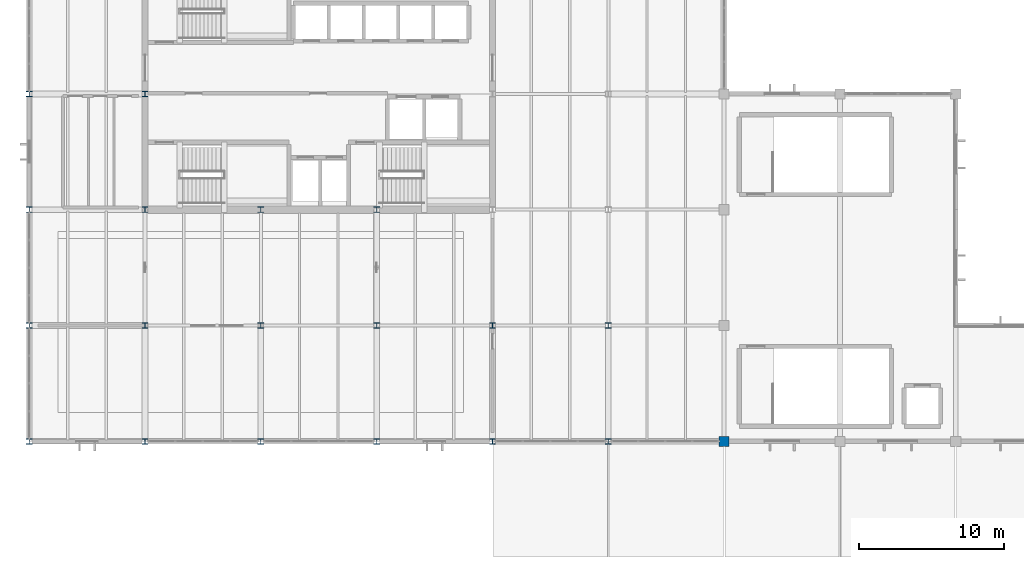
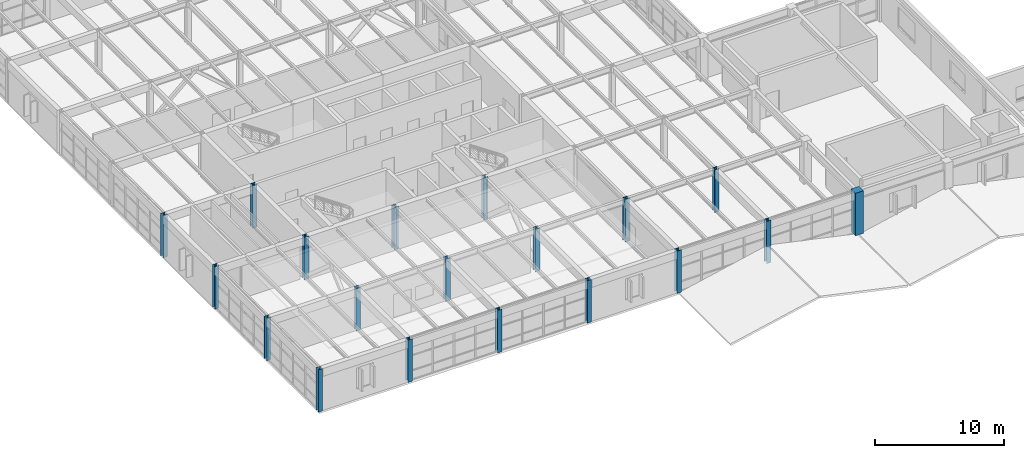
# One storey, part 1 of 48: 19 columns.
"""IFC4 building model written with IfcOpenShell, lengths in metres."""

import ifcopenshell
import ifcopenshell.guid

model = None  # the IFC model being written
_history = None  # IfcOwnerHistory: only IFC2X3 demands one
_inside = {}  # id of a spatial element -> (the spatial element, [elements in it])
_under = {}  # id of a project, library or spatial element -> (it, [spatial elements below it])
_declared = {}  # id of a project -> (the project, [libraries it declares])
_typed = {}  # id of a type object -> (the type object, [elements of that type])
_made_of = {}  # id of a material, layer set ... -> (it, [elements and type objects made of it])


def new_model(schema):
    """Start an empty IFC model of exactly this schema.

    Asked for "IFC4X3", IfcOpenShell would pick the latest addendum, in which some entities
    have other attributes; the version numbers below select the first issue.
    IFC2X3 requires an IfcOwnerHistory on every rooted entity: one is made here for all.
    """
    global model, _history
    if schema == "IFC4X3":
        model = ifcopenshell.file(schema_version=(4, 3, 0, 0))
    else:
        model = ifcopenshell.file(schema=schema)
    _inside.clear()
    _under.clear()
    _declared.clear()
    _typed.clear()
    _made_of.clear()
    _history = None
    if model.schema == "IFC2X3":
        org = make("IfcOrganization", Name="unknown")
        user = make(
            "IfcPersonAndOrganization",
            ThePerson=make("IfcPerson", FamilyName="unknown"),
            TheOrganization=org,
        )
        app = make(
            "IfcApplication",
            ApplicationDeveloper=org,
            Version="unknown",
            ApplicationFullName="unknown",
            ApplicationIdentifier="unknown",
        )
        _history = make(
            "IfcOwnerHistory",
            OwningUser=user,
            OwningApplication=app,
            ChangeAction="ADDED",
            CreationDate=0,
        )
    return model


def make(cls, **values):
    """One entity of the class cls with the attributes given. An attribute that is None is left unset."""
    return model.create_entity(
        cls, **{name: value for name, value in values.items() if value is not None}
    )


def rooted(cls, **values):
    """An entity with a GlobalId (a new one), such as an element, a storey or a relation."""
    return make(cls, GlobalId=ifcopenshell.guid.new(), OwnerHistory=_history, **values)


def si_unit(unit_type, name, prefix=None):
    """IfcSIUnit, for example si_unit("LENGTHUNIT", "METRE", prefix="MILLI")."""
    return make("IfcSIUnit", UnitType=unit_type, Prefix=prefix, Name=name)


def assignment(units):
    """IfcUnitAssignment: the units of a project."""
    return None if units is None else make("IfcUnitAssignment", Units=units)


def point(xyz):
    """IfcCartesianPoint."""
    return None if xyz is None else make("IfcCartesianPoint", Coordinates=xyz)


def direction(xyz):
    """IfcDirection."""
    return None if xyz is None else make("IfcDirection", DirectionRatios=xyz)


def frame(location, z_axis=None, x_axis=None):
    """IfcAxis2Placement3D, a coordinate frame: its origin and axes. An axis left out is left unset."""
    return make(
        "IfcAxis2Placement3D",
        Location=point(location),
        Axis=direction(z_axis),
        RefDirection=direction(x_axis),
    )


def frame_2d(location, x_axis=None):
    """IfcAxis2Placement2D, a coordinate frame in the plane: its origin and x axis."""
    return make(
        "IfcAxis2Placement2D", Location=point(location), RefDirection=direction(x_axis)
    )


def origin():
    """The frame at (0, 0, 0) with its axes left unset."""
    return frame((0.0, 0.0, 0.0))


def origin_2d():
    """The frame at (0, 0) in the plane with its x axis left unset."""
    return frame_2d((0.0, 0.0))


def place(relative_to, where):
    """IfcLocalPlacement: puts the frame where relative to a parent placement (None: the world)."""
    return make(
        "IfcLocalPlacement", PlacementRelTo=relative_to, RelativePlacement=where
    )


def context(
    kind, dimensions, precision=None, world=None, true_north=None, identifier=None
):
    """IfcGeometricRepresentationContext, for example the 3D "Model" context."""
    return make(
        "IfcGeometricRepresentationContext",
        ContextIdentifier=identifier,
        ContextType=kind,
        CoordinateSpaceDimension=dimensions,
        Precision=precision,
        WorldCoordinateSystem=world,
        TrueNorth=true_north,
    )


def subcontext(parent, identifier, kind, view, scale=None):
    """IfcGeometricRepresentationSubContext, for example "Body" below "Model"."""
    return make(
        "IfcGeometricRepresentationSubContext",
        ContextIdentifier=identifier,
        ContextType=kind,
        ParentContext=parent,
        TargetScale=scale,
        TargetView=view,
    )


def project(units=None, contexts=None):
    """IfcProject with its units and contexts."""
    return rooted(
        "IfcProject",
        Name="project",
        RepresentationContexts=contexts,
        UnitsInContext=assignment(units),
    )


def spatial(cls, under=None, at=None, **own):
    """A site, building, storey or space (cls), placed at a placement, below another one or the project."""
    s = rooted(cls, ObjectPlacement=at, **own)
    if under is not None:
        _under.setdefault(under.id(), (under, []))[1].append(s)
    return s


def profile(cls, at=None, kind="AREA", **sizes):
    """A parametric profile (cls). Its sizes go by their IFC names, for example OverallWidth=200.0."""
    return make(cls, ProfileType=kind, Position=at, **sizes)


def rectangle(**sizes):
    """IfcRectangleProfileDef."""
    return profile("IfcRectangleProfileDef", **sizes)


def i_section(**sizes):
    """IfcIShapeProfileDef."""
    return profile("IfcIShapeProfileDef", **sizes)


def extrude(swept, where, along, depth):
    """IfcExtrudedAreaSolid: the profile swept, set in the frame where, extruded along a direction by depth."""
    return make(
        "IfcExtrudedAreaSolid",
        SweptArea=swept,
        Position=where,
        ExtrudedDirection=direction(along),
        Depth=depth,
    )


def shape(context_of_items, identifier, shape_type, items):
    """IfcShapeRepresentation: the items that make up one representation, for example the "Body"."""
    return make(
        "IfcShapeRepresentation",
        ContextOfItems=context_of_items,
        RepresentationIdentifier=identifier,
        RepresentationType=shape_type,
        Items=items,
    )


def material(Name=None, Category=None):
    """IfcMaterial."""
    return make("IfcMaterial", Name=Name, Category=Category)


def material_profile(
    of_material, cross_section, Name=None, Category=None, Priority=None
):
    """IfcMaterialProfile: a cross section and its material."""
    return make(
        "IfcMaterialProfile",
        Name=Name,
        Material=of_material,
        Profile=cross_section,
        Priority=Priority,
        Category=Category,
    )


def profile_set(profiles, Name=None, composite=None):
    """IfcMaterialProfileSet."""
    return make(
        "IfcMaterialProfileSet",
        Name=Name,
        MaterialProfiles=profiles,
        CompositeProfile=composite,
    )


def made_of(thing, what):
    """Note that an element or type object is made of a material, layer set ...; save() writes the relation."""
    if what is not None:
        _made_of.setdefault(what.id(), (what, []))[1].append(thing)
    return thing


def type_object(cls, material=None, **own):
    """A type object (cls), such as IfcWallType, which elements share."""
    return made_of(rooted(cls, **own), material)


def element(
    cls,
    number,
    at=None,
    inside=None,
    cuts=None,
    type_object=None,
    material=None,
    context=None,
    identifier="Body",
    shape_type=None,
    held_by="IfcProductDefinitionShape",
    body=None,
    shapes=None,
    **own,
):
    """One element of the class cls, such as IfcWall. Its Tag is "e" and its number.

    at: its placement. inside: the storey or other place that contains it. cuts: it is an
    opening in that element (IfcRelVoidsElement). A single representation is given by context,
    identifier, shape_type and body (its items); several are given by shapes. held_by: the class
    of the entity that holds the representations. save() writes the other relations.
    """
    e = rooted(cls, Tag="e%d" % number, ObjectPlacement=at, **own)
    if body is not None:
        shapes = [shape(context, identifier, shape_type, body)]
    if shapes is not None:
        e.Representation = make(held_by, Representations=shapes)
    if inside is not None:
        _inside.setdefault(inside.id(), (inside, []))[1].append(e)
    if cuts is not None:
        rooted(
            "IfcRelVoidsElement", RelatingBuildingElement=cuts, RelatedOpeningElement=e
        )
    if type_object is not None:
        _typed.setdefault(type_object.id(), (type_object, []))[1].append(e)
    return made_of(e, material)


def aggregate(whole, parts):
    """IfcRelAggregates: a whole, such as a stair, and the parts it consists of."""
    return rooted("IfcRelAggregates", RelatingObject=whole, RelatedObjects=parts)


def save(model, path):
    """Write the relations noted so far, then the file.

    IfcRelAggregates (storeys below a building ...), IfcRelContainedInSpatialStructure (elements
    in a storey), IfcRelDefinesByType, IfcRelAssociatesMaterial and IfcRelDeclares: one each for
    every whole, place, type object, material and project.
    """
    for whole, parts in _under.values():
        aggregate(whole, parts)
    for where, things in _inside.values():
        rooted(
            "IfcRelContainedInSpatialStructure",
            RelatedElements=things,
            RelatingStructure=where,
        )
    for kind, things in _typed.values():
        rooted("IfcRelDefinesByType", RelatedObjects=things, RelatingType=kind)
    for what, things in _made_of.values():
        rooted("IfcRelAssociatesMaterial", RelatedObjects=things, RelatingMaterial=what)
    for by, libraries in _declared.values():
        rooted("IfcRelDeclares", RelatingContext=by, RelatedDefinitions=libraries)
    model.write(path)


model = new_model("IFC4")

# Units and contexts
model_context = context("Model", 3, precision=1e-05, world=origin(), true_north=direction((0.0, 1.0)))
body_context = subcontext(model_context, "Body", "Model", "MODEL_VIEW")
ifc_project = project(units=[si_unit("LENGTHUNIT", "METRE"), si_unit("AREAUNIT", "SQUARE_METRE"), si_unit("VOLUMEUNIT", "CUBIC_METRE"), si_unit("PLANEANGLEUNIT", "RADIAN"), si_unit("MASSUNIT", "GRAM", prefix="KILO")], contexts=[model_context])

# Site, building, storey
site_placement = place(None, origin())
site = spatial("IfcSite", under=ifc_project, at=site_placement, CompositionType="ELEMENT")
building_placement = place(site_placement, origin())
building = spatial("IfcBuilding", under=site, at=building_placement, Name="Varnela Railside Interchange", CompositionType="ELEMENT")
storey_placement = place(building_placement, frame((0.0, 0.0, 11.199951171875)))
storey = spatial("IfcBuildingStorey", under=building, at=storey_placement, Name="L02", CompositionType="ELEMENT", Elevation=11.199951171875)

# Columns
ifc_material_1 = material(Name="Concrete C50", Category="concrete")
ifc_material_profile_1 = material_profile(ifc_material_1, rectangle(XDim=0.699951171875, YDim=0.699951171875, at=origin_2d()), Name="RC 700x700")
ifc_profile_set_1 = profile_set([ifc_material_profile_1], Name="Concrete C50")
column_type_1 = type_object("IfcColumnType", Name="Podium Gallery Column C-02", PredefinedType="COLUMN", material=ifc_profile_set_1)
column_placement = place(storey_placement, frame((52.0, 38.0, 0.0), z_axis=(0.0, 0.0, 1.0), x_axis=(1.0, 0.0, 0.0)))
element("IfcColumn", 1, at=column_placement, inside=storey, type_object=column_type_1, Name="Column C-02 (L02) (CL-0805)", PredefinedType="COLUMN", context=body_context, shape_type="SweptSolid", body=[
    extrude(rectangle(XDim=0.699951171875, YDim=0.699951171875, at=origin_2d()), origin(), (0.0, 0.0, 1.0), 4.0),
])
ifc_material_2 = material(Name="Steel AR 350 (350 MPa)", Category="steel")
ifc_material_profile_2 = material_profile(ifc_material_2, i_section(OverallWidth=0.39794921875, OverallDepth=0.386962890625, WebThickness=0.02099609375, FlangeThickness=0.033203125, at=origin_2d()), Name="W360x262")
ifc_profile_set_2 = profile_set([ifc_material_profile_2], Name="Steel AR 350 (350 MPa)")
column_type_2 = type_object("IfcColumnType", Name="Superstructure Steel Col C-16", PredefinedType="COLUMN", material=ifc_profile_set_2)
for number, where, z_axis, x_axis, name in (
    (2, (12.0, 54.0, 0.0), (0.0, 0.0, 1.0), (1.0, 0.0, 0.0), "Column C-16 (L02) (CL-0769)"),
    (3, (12.0, 62.0, 0.0), (0.0, 0.0, 1.0), (1.0, 0.0, 0.0), "Column C-16 (L02) (CL-0770)"),
    (4, (20.0, 54.0, 0.0), (0.0, 0.0, 1.0), (1.0, 0.0, 0.0), "Column C-16 (L02) (CL-0777)"),
    (5, (28.0, 54.0, 0.0), (0.0, 0.0, 1.0), (1.0, 0.0, 0.0), "Column C-16 (L02) (CL-0784)"),
):
    element("IfcColumn", number, at=place(storey_placement, frame(where, z_axis=z_axis, x_axis=x_axis)), inside=storey, type_object=column_type_2, Name=name, PredefinedType="COLUMN", context=body_context, shape_type="SweptSolid", body=[
        extrude(i_section(OverallWidth=0.39794921875, OverallDepth=0.386962890625, WebThickness=0.02099609375, FlangeThickness=0.033203125, at=origin_2d()), origin(), (0.0, 0.0, 1.0), 4.0),
    ])
ifc_material_profile_3 = material_profile(ifc_material_2, i_section(OverallWidth=0.39404296875, OverallDepth=0.375, WebThickness=0.017333984375, FlangeThickness=0.027587890625, at=origin_2d()), Name="W360x216")
ifc_profile_set_3 = profile_set([ifc_material_profile_3], Name="Steel AR 350 (350 MPa)")
column_type_3 = type_object("IfcColumnType", Name="Superstructure Steel Col C-17", PredefinedType="COLUMN", material=ifc_profile_set_3)
for number, where, z_axis, x_axis, name in (
    (6, (4.0, 38.0, 0.0), (0.0, 0.0, 1.0), (1.0, 0.0, 0.0), "Column C-17 (L02) (CL-0751)"),
    (7, (4.0, 46.0, 0.0), (0.0, 0.0, 1.0), (1.0, 0.0, 0.0), "Column C-17 (L02) (CL-0752)"),
    (8, (4.0, 54.0, 0.0), (0.0, 0.0, 1.0), (1.0, 0.0, 0.0), "Column C-17 (L02) (CL-0753)"),
    (9, (4.0, 62.0, 0.0), (0.0, 0.0, 1.0), (1.0, 0.0, 0.0), "Column C-17 (L02) (CL-0754)"),
    (10, (12.0, 38.0, 0.0), (0.0, 0.0, 1.0), (1.0, 0.0, 0.0), "Column C-17 (L02) (CL-0767)"),
    (11, (12.0, 46.0, 0.0), (0.0, 0.0, 1.0), (1.0, 0.0, 0.0), "Column C-17 (L02) (CL-0768)"),
    (12, (20.0, 38.0, 0.0), (0.0, 0.0, 1.0), (1.0, 0.0, 0.0), "Column C-17 (L02) (CL-0775)"),
    (13, (20.0, 46.0, 0.0), (0.0, 0.0, 1.0), (1.0, 0.0, 0.0), "Column C-17 (L02) (CL-0776)"),
    (14, (28.0, 38.0, 0.0), (0.0, 0.0, 1.0), (1.0, 0.0, 0.0), "Column C-17 (L02) (CL-0782)"),
    (15, (28.0, 46.0, 0.0), (0.0, 0.0, 1.0), (1.0, 0.0, 0.0), "Column C-17 (L02) (CL-0783)"),
    (16, (36.0, 38.0, 0.0), (0.0, 0.0, 1.0), (1.0, 0.0, 0.0), "Column C-17 (L02) (CL-0789)"),
    (17, (36.0, 46.0, 0.0), (0.0, 0.0, 1.0), (1.0, 0.0, 0.0), "Column C-17 (L02) (CL-0790)"),
    (18, (44.0, 38.0, 0.0), (0.0, 0.0, 1.0), (1.0, 0.0, 0.0), "Column C-17 (L02) (CL-0797)"),
    (19, (44.0, 46.0, 0.0), (0.0, 0.0, 1.0), (1.0, 0.0, 0.0), "Column C-17 (L02) (CL-0798)"),
):
    element("IfcColumn", number, at=place(storey_placement, frame(where, z_axis=z_axis, x_axis=x_axis)), inside=storey, type_object=column_type_3, Name=name, PredefinedType="COLUMN", context=body_context, shape_type="SweptSolid", body=[
        extrude(i_section(OverallWidth=0.39404296875, OverallDepth=0.375, WebThickness=0.017333984375, FlangeThickness=0.027587890625, at=origin_2d()), origin(), (0.0, 0.0, 1.0), 4.0),
    ])

save(model, "model.ifc")
